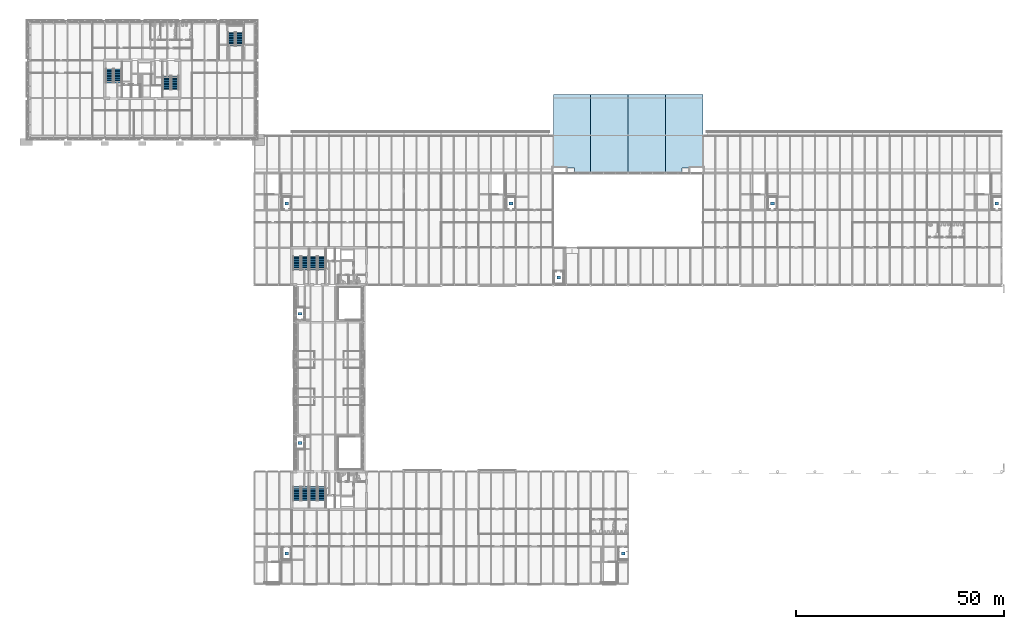
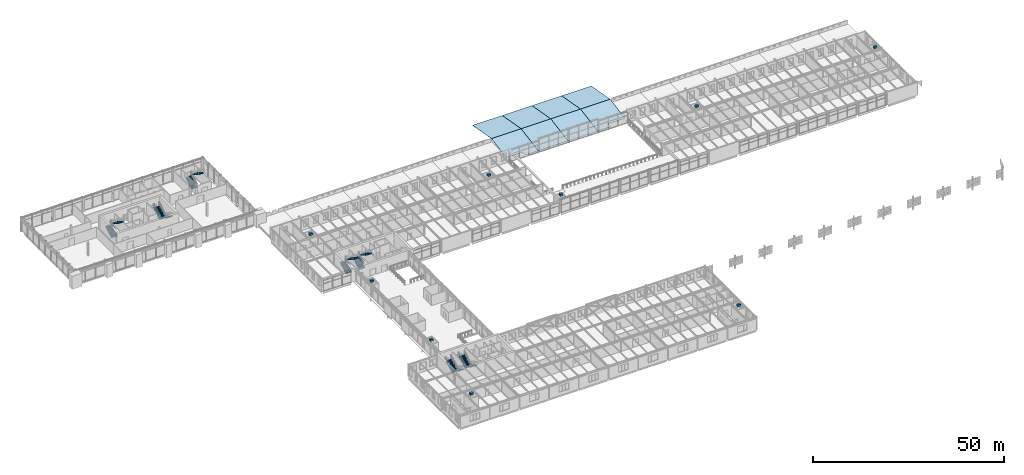
# One storey, part 87 of 123: 14 stair flights, 9 discrete accessories, 8 roofs, 7 elements without a shape of their own.
"""IFC4 building model written with IfcOpenShell, lengths in metres."""

from ifc_helpers import new_model, si_unit, direction, frame, origin, origin_2d, place, context, subcontext, project, spatial, polyline, rectangle, outline, extrude, material, layer, layer_set, type_object, element, aggregate, save


model = new_model("IFC4")

# Units and contexts
model_context = context("Model", 3, precision=1e-05, world=origin(), true_north=direction((0.0, 1.0)))
body_context = subcontext(model_context, "Body", "Model", "MODEL_VIEW")
ifc_project = project(units=[si_unit("LENGTHUNIT", "METRE"), si_unit("AREAUNIT", "SQUARE_METRE"), si_unit("VOLUMEUNIT", "CUBIC_METRE"), si_unit("PLANEANGLEUNIT", "RADIAN"), si_unit("MASSUNIT", "GRAM", prefix="KILO")], contexts=[model_context])

# Site, building, storey
site_placement = place(None, origin())
site = spatial("IfcSite", under=ifc_project, at=site_placement, CompositionType="ELEMENT")
building_placement = place(site_placement, origin())
building = spatial("IfcBuilding", under=site, at=building_placement, Name="Baradari Gate Terminus", CompositionType="ELEMENT")
storey_placement = place(building_placement, frame((0.0, 0.0, 7.5)))
storey = spatial("IfcBuildingStorey", under=building, at=storey_placement, Name="L01", CompositionType="ELEMENT", Elevation=7.5)

# Stair, stair flights
ifc_material_1 = material(Name="Concrete C32/40", Category="concrete")
stair_type_1 = type_object("IfcStairType", Name="Exit stair ST-GN1 riser 175 x 1800", PredefinedType="HALF_TURN_STAIR", material=ifc_material_1)
stair_1_placement = place(storey_placement, origin())
stair_1 = element("IfcStair", 1, at=stair_1_placement, inside=storey, type_object=stair_type_1, Name="Stair ST-GN1 L01 to L02", PredefinedType="HALF_TURN_STAIR")
ifc_material_2 = material(Name="Concrete C32/40", Category="concrete")
stair_flight_type = type_object("IfcStairFlightType", Name="Stair flight 175/300 x 1800", PredefinedType="STRAIGHT", material=ifc_material_2)
stair_flight_1_placement = place(storey_placement, frame((73.199951171875, 84.60009765625, 0.0), z_axis=(0.0, 0.0, 1.0), x_axis=(0.0, 1.0, 0.0)))
stair_flight_1 = element("IfcStairFlight", 2, at=stair_flight_1_placement, type_object=stair_flight_type, Name="ST-GN1 flight 1", NumberOfRisers=12, NumberOfTreads=11, PredefinedType="STRAIGHT", RiserHeight=0.175, TreadLength=0.3, context=body_context, shape_type="SweptSolid", body=[
    extrude(outline(polyline([(0.0, 0.0), (0.0, 0.175048828125), (0.300048828125, 0.175048828125), (0.300048828125, 0.35009765625), (0.60009765625, 0.35009765625), (0.60009765625, 0.52490234375), (0.89990234375, 0.52490234375), (0.89990234375, 0.699951171875), (1.199951171875, 0.699951171875), (1.199951171875, 0.875), (1.5, 0.875), (1.5, 1.050048828125), (1.800048828125, 1.050048828125), (1.800048828125, 1.22509765625), (2.10009765625, 1.22509765625), (2.10009765625, 1.39990234375), (2.39990234375, 1.39990234375), (2.39990234375, 1.574951171875), (2.699951171875, 1.574951171875), (2.699951171875, 1.75), (3.0, 1.75), (3.0, 1.925048828125), (3.300048828125, 1.925048828125), (3.300048828125, 2.10009765625), (3.300048828125, 1.75146484375), (0.297607421875, 0.0), (0.0, 0.0)])), frame((0.0, 0.89990234375, 0.0), z_axis=(0.0, -1.0, 0.0), x_axis=(1.0, 0.0, 0.0)), (0.0, 0.0, 1.0), 1.800048828125),
])
stair_flight_2_placement = place(storey_placement, frame((75.199951171875, 87.89990234375, 2.10009765625), z_axis=(0.0, 0.0, 1.0), x_axis=(0.0, -1.0, 0.0)))
stair_flight_2 = element("IfcStairFlight", 3, at=stair_flight_2_placement, type_object=stair_flight_type, Name="ST-GN1 flight 2", NumberOfRisers=12, NumberOfTreads=11, PredefinedType="STRAIGHT", RiserHeight=0.175, TreadLength=0.3, context=body_context, shape_type="SweptSolid", body=[
    extrude(outline(polyline([(0.0, 0.0), (0.0, 0.175048828125), (0.300048828125, 0.175048828125), (0.300048828125, 0.35009765625), (0.60009765625, 0.35009765625), (0.60009765625, 0.52490234375), (0.89990234375, 0.52490234375), (0.89990234375, 0.699951171875), (1.199951171875, 0.699951171875), (1.199951171875, 0.875), (1.5, 0.875), (1.5, 1.050048828125), (1.800048828125, 1.050048828125), (1.800048828125, 1.22509765625), (2.10009765625, 1.22509765625), (2.10009765625, 1.39990234375), (2.39990234375, 1.39990234375), (2.39990234375, 1.574951171875), (2.699951171875, 1.574951171875), (2.699951171875, 1.75), (3.0, 1.75), (3.0, 1.925048828125), (3.300048828125, 1.925048828125), (3.300048828125, 2.10009765625), (3.300048828125, 1.75146484375), (0.297607421875, 0.0), (0.0, 0.0)])), frame((0.0, 0.89990234375, 0.0), z_axis=(0.0, -1.0, 0.0), x_axis=(1.0, 0.0, 0.0)), (0.0, 0.0, 1.0), 1.800048828125),
])
aggregate(stair_1, [stair_flight_1, stair_flight_2])

ifc_material_3 = material(Name="Concrete C32/40", Category="concrete")
stair_type_2 = type_object("IfcStairType", Name="Exit stair ST-GN2 riser 175 x 1800", PredefinedType="HALF_TURN_STAIR", material=ifc_material_3)
stair_2_placement = place(storey_placement, origin())
stair_2 = element("IfcStair", 4, at=stair_2_placement, inside=storey, type_object=stair_type_2, Name="Stair ST-GN2 L01 to L02", PredefinedType="HALF_TURN_STAIR")
stair_flight_3_placement = place(storey_placement, frame((77.199951171875, 84.60009765625, 0.0), z_axis=(0.0, 0.0, 1.0), x_axis=(0.0, 1.0, 0.0)))
stair_flight_3 = element("IfcStairFlight", 5, at=stair_flight_3_placement, type_object=stair_flight_type, Name="ST-GN2 flight 1", NumberOfRisers=12, NumberOfTreads=11, PredefinedType="STRAIGHT", RiserHeight=0.175, TreadLength=0.3, context=body_context, shape_type="SweptSolid", body=[
    extrude(outline(polyline([(0.0, 0.0), (0.0, 0.175048828125), (0.300048828125, 0.175048828125), (0.300048828125, 0.35009765625), (0.60009765625, 0.35009765625), (0.60009765625, 0.52490234375), (0.89990234375, 0.52490234375), (0.89990234375, 0.699951171875), (1.199951171875, 0.699951171875), (1.199951171875, 0.875), (1.5, 0.875), (1.5, 1.050048828125), (1.800048828125, 1.050048828125), (1.800048828125, 1.22509765625), (2.10009765625, 1.22509765625), (2.10009765625, 1.39990234375), (2.39990234375, 1.39990234375), (2.39990234375, 1.574951171875), (2.699951171875, 1.574951171875), (2.699951171875, 1.75), (3.0, 1.75), (3.0, 1.925048828125), (3.300048828125, 1.925048828125), (3.300048828125, 2.10009765625), (3.300048828125, 1.75146484375), (0.297607421875, 0.0), (0.0, 0.0)])), frame((0.0, 0.89990234375, 0.0), z_axis=(0.0, -1.0, 0.0), x_axis=(1.0, 0.0, 0.0)), (0.0, 0.0, 1.0), 1.800048828125),
])
stair_flight_4_placement = place(storey_placement, frame((79.199951171875, 87.89990234375, 2.10009765625), z_axis=(0.0, 0.0, 1.0), x_axis=(0.0, -1.0, 0.0)))
stair_flight_4 = element("IfcStairFlight", 6, at=stair_flight_4_placement, type_object=stair_flight_type, Name="ST-GN2 flight 2", NumberOfRisers=12, NumberOfTreads=11, PredefinedType="STRAIGHT", RiserHeight=0.175, TreadLength=0.3, context=body_context, shape_type="SweptSolid", body=[
    extrude(outline(polyline([(0.0, 0.0), (0.0, 0.175048828125), (0.300048828125, 0.175048828125), (0.300048828125, 0.35009765625), (0.60009765625, 0.35009765625), (0.60009765625, 0.52490234375), (0.89990234375, 0.52490234375), (0.89990234375, 0.699951171875), (1.199951171875, 0.699951171875), (1.199951171875, 0.875), (1.5, 0.875), (1.5, 1.050048828125), (1.800048828125, 1.050048828125), (1.800048828125, 1.22509765625), (2.10009765625, 1.22509765625), (2.10009765625, 1.39990234375), (2.39990234375, 1.39990234375), (2.39990234375, 1.574951171875), (2.699951171875, 1.574951171875), (2.699951171875, 1.75), (3.0, 1.75), (3.0, 1.925048828125), (3.300048828125, 1.925048828125), (3.300048828125, 2.10009765625), (3.300048828125, 1.75146484375), (0.297607421875, 0.0), (0.0, 0.0)])), frame((0.0, 0.89990234375, 0.0), z_axis=(0.0, -1.0, 0.0), x_axis=(1.0, 0.0, 0.0)), (0.0, 0.0, 1.0), 1.800048828125),
])
aggregate(stair_2, [stair_flight_3, stair_flight_4])

ifc_material_4 = material(Name="Concrete C32/40", Category="concrete")
stair_type_3 = type_object("IfcStairType", Name="Exit stair ST-GS1 riser 175 x 1800", PredefinedType="HALF_TURN_STAIR", material=ifc_material_4)
stair_3_placement = place(storey_placement, origin())
stair_3 = element("IfcStair", 7, at=stair_3_placement, inside=storey, type_object=stair_type_3, Name="Stair ST-GS1 L01 to L02", PredefinedType="HALF_TURN_STAIR")
stair_flight_5_placement = place(storey_placement, frame((75.199951171875, 32.39990234375, 0.0), z_axis=(0.0, 0.0, 1.0), x_axis=(0.0, -1.0, 0.0)))
stair_flight_5 = element("IfcStairFlight", 8, at=stair_flight_5_placement, type_object=stair_flight_type, Name="ST-GS1 flight 1", NumberOfRisers=12, NumberOfTreads=11, PredefinedType="STRAIGHT", RiserHeight=0.175, TreadLength=0.3, context=body_context, shape_type="SweptSolid", body=[
    extrude(outline(polyline([(0.0, 0.0), (0.0, 0.175048828125), (0.300048828125, 0.175048828125), (0.300048828125, 0.35009765625), (0.60009765625, 0.35009765625), (0.60009765625, 0.52490234375), (0.89990234375, 0.52490234375), (0.89990234375, 0.699951171875), (1.199951171875, 0.699951171875), (1.199951171875, 0.875), (1.5, 0.875), (1.5, 1.050048828125), (1.800048828125, 1.050048828125), (1.800048828125, 1.22509765625), (2.10009765625, 1.22509765625), (2.10009765625, 1.39990234375), (2.39990234375, 1.39990234375), (2.39990234375, 1.574951171875), (2.699951171875, 1.574951171875), (2.699951171875, 1.75), (3.0, 1.75), (3.0, 1.925048828125), (3.300048828125, 1.925048828125), (3.300048828125, 2.10009765625), (3.300048828125, 1.75146484375), (0.297607421875, 0.0), (0.0, 0.0)])), frame((0.0, 0.89990234375, 0.0), z_axis=(0.0, -1.0, 0.0), x_axis=(1.0, 0.0, 0.0)), (0.0, 0.0, 1.0), 1.800048828125),
])
stair_flight_6_placement = place(storey_placement, frame((73.199951171875, 29.10009765625, 2.10009765625), z_axis=(0.0, 0.0, 1.0), x_axis=(0.0, 1.0, 0.0)))
stair_flight_6 = element("IfcStairFlight", 9, at=stair_flight_6_placement, type_object=stair_flight_type, Name="ST-GS1 flight 2", NumberOfRisers=12, NumberOfTreads=11, PredefinedType="STRAIGHT", RiserHeight=0.175, TreadLength=0.3, context=body_context, shape_type="SweptSolid", body=[
    extrude(outline(polyline([(0.0, 0.0), (0.0, 0.175048828125), (0.300048828125, 0.175048828125), (0.300048828125, 0.35009765625), (0.60009765625, 0.35009765625), (0.60009765625, 0.52490234375), (0.89990234375, 0.52490234375), (0.89990234375, 0.699951171875), (1.199951171875, 0.699951171875), (1.199951171875, 0.875), (1.5, 0.875), (1.5, 1.050048828125), (1.800048828125, 1.050048828125), (1.800048828125, 1.22509765625), (2.10009765625, 1.22509765625), (2.10009765625, 1.39990234375), (2.39990234375, 1.39990234375), (2.39990234375, 1.574951171875), (2.699951171875, 1.574951171875), (2.699951171875, 1.75), (3.0, 1.75), (3.0, 1.925048828125), (3.300048828125, 1.925048828125), (3.300048828125, 2.10009765625), (3.300048828125, 1.75146484375), (0.297607421875, 0.0), (0.0, 0.0)])), frame((0.0, 0.89990234375, 0.0), z_axis=(0.0, -1.0, 0.0), x_axis=(1.0, 0.0, 0.0)), (0.0, 0.0, 1.0), 1.800048828125),
])
aggregate(stair_3, [stair_flight_5, stair_flight_6])

ifc_material_5 = material(Name="Concrete C32/40", Category="concrete")
stair_type_4 = type_object("IfcStairType", Name="Exit stair ST-GS2 riser 175 x 1800", PredefinedType="HALF_TURN_STAIR", material=ifc_material_5)
stair_4_placement = place(storey_placement, origin())
stair_4 = element("IfcStair", 10, at=stair_4_placement, inside=storey, type_object=stair_type_4, Name="Stair ST-GS2 L01 to L02", PredefinedType="HALF_TURN_STAIR")
stair_flight_7_placement = place(storey_placement, frame((79.199951171875, 32.39990234375, 0.0), z_axis=(0.0, 0.0, 1.0), x_axis=(0.0, -1.0, 0.0)))
stair_flight_7 = element("IfcStairFlight", 11, at=stair_flight_7_placement, type_object=stair_flight_type, Name="ST-GS2 flight 1", NumberOfRisers=12, NumberOfTreads=11, PredefinedType="STRAIGHT", RiserHeight=0.175, TreadLength=0.3, context=body_context, shape_type="SweptSolid", body=[
    extrude(outline(polyline([(0.0, 0.0), (0.0, 0.175048828125), (0.300048828125, 0.175048828125), (0.300048828125, 0.35009765625), (0.60009765625, 0.35009765625), (0.60009765625, 0.52490234375), (0.89990234375, 0.52490234375), (0.89990234375, 0.699951171875), (1.199951171875, 0.699951171875), (1.199951171875, 0.875), (1.5, 0.875), (1.5, 1.050048828125), (1.800048828125, 1.050048828125), (1.800048828125, 1.22509765625), (2.10009765625, 1.22509765625), (2.10009765625, 1.39990234375), (2.39990234375, 1.39990234375), (2.39990234375, 1.574951171875), (2.699951171875, 1.574951171875), (2.699951171875, 1.75), (3.0, 1.75), (3.0, 1.925048828125), (3.300048828125, 1.925048828125), (3.300048828125, 2.10009765625), (3.300048828125, 1.75146484375), (0.297607421875, 0.0), (0.0, 0.0)])), frame((0.0, 0.89990234375, 0.0), z_axis=(0.0, -1.0, 0.0), x_axis=(1.0, 0.0, 0.0)), (0.0, 0.0, 1.0), 1.800048828125),
])
stair_flight_8_placement = place(storey_placement, frame((77.199951171875, 29.10009765625, 2.10009765625), z_axis=(0.0, 0.0, 1.0), x_axis=(0.0, 1.0, 0.0)))
stair_flight_8 = element("IfcStairFlight", 12, at=stair_flight_8_placement, type_object=stair_flight_type, Name="ST-GS2 flight 2", NumberOfRisers=12, NumberOfTreads=11, PredefinedType="STRAIGHT", RiserHeight=0.175, TreadLength=0.3, context=body_context, shape_type="SweptSolid", body=[
    extrude(outline(polyline([(0.0, 0.0), (0.0, 0.175048828125), (0.300048828125, 0.175048828125), (0.300048828125, 0.35009765625), (0.60009765625, 0.35009765625), (0.60009765625, 0.52490234375), (0.89990234375, 0.52490234375), (0.89990234375, 0.699951171875), (1.199951171875, 0.699951171875), (1.199951171875, 0.875), (1.5, 0.875), (1.5, 1.050048828125), (1.800048828125, 1.050048828125), (1.800048828125, 1.22509765625), (2.10009765625, 1.22509765625), (2.10009765625, 1.39990234375), (2.39990234375, 1.39990234375), (2.39990234375, 1.574951171875), (2.699951171875, 1.574951171875), (2.699951171875, 1.75), (3.0, 1.75), (3.0, 1.925048828125), (3.300048828125, 1.925048828125), (3.300048828125, 2.10009765625), (3.300048828125, 1.75146484375), (0.297607421875, 0.0), (0.0, 0.0)])), frame((0.0, 0.89990234375, 0.0), z_axis=(0.0, -1.0, 0.0), x_axis=(1.0, 0.0, 0.0)), (0.0, 0.0, 1.0), 1.800048828125),
])
aggregate(stair_4, [stair_flight_7, stair_flight_8])

ifc_material_6 = material(Name="Concrete C32/40", Category="concrete")
stair_type_5 = type_object("IfcStairType", Name="Exit stair ST-T1 riser 175 x 1800", PredefinedType="HALF_TURN_STAIR", material=ifc_material_6)
stair_5_placement = place(storey_placement, origin())
stair_5 = element("IfcStair", 13, at=stair_5_placement, inside=storey, type_object=stair_type_5, Name="Stair ST-T1 L01 to L02", PredefinedType="HALF_TURN_STAIR")
stair_flight_9_placement = place(storey_placement, frame((28.125, 129.675048828125, 0.0), z_axis=(0.0, 0.0, 1.0), x_axis=(0.0, 1.0, 0.0)))
stair_flight_9 = element("IfcStairFlight", 14, at=stair_flight_9_placement, type_object=stair_flight_type, Name="ST-T1 flight 1", NumberOfRisers=12, NumberOfTreads=11, PredefinedType="STRAIGHT", RiserHeight=0.175, TreadLength=0.3, context=body_context, shape_type="SweptSolid", body=[
    extrude(outline(polyline([(0.0, 0.0), (0.0, 0.175048828125), (0.300048828125, 0.175048828125), (0.300048828125, 0.35009765625), (0.60009765625, 0.35009765625), (0.60009765625, 0.52490234375), (0.89990234375, 0.52490234375), (0.89990234375, 0.699951171875), (1.199951171875, 0.699951171875), (1.199951171875, 0.875), (1.5, 0.875), (1.5, 1.050048828125), (1.800048828125, 1.050048828125), (1.800048828125, 1.22509765625), (2.10009765625, 1.22509765625), (2.10009765625, 1.39990234375), (2.39990234375, 1.39990234375), (2.39990234375, 1.574951171875), (2.699951171875, 1.574951171875), (2.699951171875, 1.75), (3.0, 1.75), (3.0, 1.925048828125), (3.300048828125, 1.925048828125), (3.300048828125, 2.10009765625), (3.300048828125, 1.75146484375), (0.297607421875, 0.0), (0.0, 0.0)])), frame((0.0, 0.89990234375, 0.0), z_axis=(0.0, -1.0, 0.0), x_axis=(1.0, 0.0, 0.0)), (0.0, 0.0, 1.0), 1.800048828125),
])
stair_flight_10_placement = place(storey_placement, frame((30.125, 132.97509765625, 2.10009765625), z_axis=(0.0, 0.0, 1.0), x_axis=(0.0, -1.0, 0.0)))
stair_flight_10 = element("IfcStairFlight", 15, at=stair_flight_10_placement, type_object=stair_flight_type, Name="ST-T1 flight 2", NumberOfRisers=12, NumberOfTreads=11, PredefinedType="STRAIGHT", RiserHeight=0.175, TreadLength=0.3, context=body_context, shape_type="SweptSolid", body=[
    extrude(outline(polyline([(0.0, 0.0), (0.0, 0.175048828125), (0.300048828125, 0.175048828125), (0.300048828125, 0.35009765625), (0.60009765625, 0.35009765625), (0.60009765625, 0.52490234375), (0.89990234375, 0.52490234375), (0.89990234375, 0.699951171875), (1.199951171875, 0.699951171875), (1.199951171875, 0.875), (1.5, 0.875), (1.5, 1.050048828125), (1.800048828125, 1.050048828125), (1.800048828125, 1.22509765625), (2.10009765625, 1.22509765625), (2.10009765625, 1.39990234375), (2.39990234375, 1.39990234375), (2.39990234375, 1.574951171875), (2.699951171875, 1.574951171875), (2.699951171875, 1.75), (3.0, 1.75), (3.0, 1.925048828125), (3.300048828125, 1.925048828125), (3.300048828125, 2.10009765625), (3.300048828125, 1.75146484375), (0.297607421875, 0.0), (0.0, 0.0)])), frame((0.0, 0.89990234375, 0.0), z_axis=(0.0, -1.0, 0.0), x_axis=(1.0, 0.0, 0.0)), (0.0, 0.0, 1.0), 1.800048828125),
])
aggregate(stair_5, [stair_flight_9, stair_flight_10])

ifc_material_7 = material(Name="Concrete C32/40", Category="concrete")
stair_type_6 = type_object("IfcStairType", Name="Exit stair ST-T2 riser 175 x 1800", PredefinedType="HALF_TURN_STAIR", material=ifc_material_7)
stair_6_placement = place(storey_placement, origin())
stair_6 = element("IfcStair", 16, at=stair_6_placement, inside=storey, type_object=stair_type_6, Name="Stair ST-T2 L01 to L02", PredefinedType="HALF_TURN_STAIR")
stair_flight_11_placement = place(storey_placement, frame((43.875, 131.324951171875, 0.0), z_axis=(0.0, 0.0, 1.0), x_axis=(0.0, -1.0, 0.0)))
stair_flight_11 = element("IfcStairFlight", 17, at=stair_flight_11_placement, type_object=stair_flight_type, Name="ST-T2 flight 1", NumberOfRisers=12, NumberOfTreads=11, PredefinedType="STRAIGHT", RiserHeight=0.175, TreadLength=0.3, context=body_context, shape_type="SweptSolid", body=[
    extrude(outline(polyline([(0.0, 0.0), (0.0, 0.175048828125), (0.300048828125, 0.175048828125), (0.300048828125, 0.35009765625), (0.60009765625, 0.35009765625), (0.60009765625, 0.52490234375), (0.89990234375, 0.52490234375), (0.89990234375, 0.699951171875), (1.199951171875, 0.699951171875), (1.199951171875, 0.875), (1.5, 0.875), (1.5, 1.050048828125), (1.800048828125, 1.050048828125), (1.800048828125, 1.22509765625), (2.10009765625, 1.22509765625), (2.10009765625, 1.39990234375), (2.39990234375, 1.39990234375), (2.39990234375, 1.574951171875), (2.699951171875, 1.574951171875), (2.699951171875, 1.75), (3.0, 1.75), (3.0, 1.925048828125), (3.300048828125, 1.925048828125), (3.300048828125, 2.10009765625), (3.300048828125, 1.75146484375), (0.297607421875, 0.0), (0.0, 0.0)])), frame((0.0, 0.89990234375, 0.0), z_axis=(0.0, -1.0, 0.0), x_axis=(1.0, 0.0, 0.0)), (0.0, 0.0, 1.0), 1.800048828125),
])
stair_flight_12_placement = place(storey_placement, frame((41.875, 128.02490234375, 2.10009765625), z_axis=(0.0, 0.0, 1.0), x_axis=(0.0, 1.0, 0.0)))
stair_flight_12 = element("IfcStairFlight", 18, at=stair_flight_12_placement, type_object=stair_flight_type, Name="ST-T2 flight 2", NumberOfRisers=12, NumberOfTreads=11, PredefinedType="STRAIGHT", RiserHeight=0.175, TreadLength=0.3, context=body_context, shape_type="SweptSolid", body=[
    extrude(outline(polyline([(0.0, 0.0), (0.0, 0.175048828125), (0.300048828125, 0.175048828125), (0.300048828125, 0.35009765625), (0.60009765625, 0.35009765625), (0.60009765625, 0.52490234375), (0.89990234375, 0.52490234375), (0.89990234375, 0.699951171875), (1.199951171875, 0.699951171875), (1.199951171875, 0.875), (1.5, 0.875), (1.5, 1.050048828125), (1.800048828125, 1.050048828125), (1.800048828125, 1.22509765625), (2.10009765625, 1.22509765625), (2.10009765625, 1.39990234375), (2.39990234375, 1.39990234375), (2.39990234375, 1.574951171875), (2.699951171875, 1.574951171875), (2.699951171875, 1.75), (3.0, 1.75), (3.0, 1.925048828125), (3.300048828125, 1.925048828125), (3.300048828125, 2.10009765625), (3.300048828125, 1.75146484375), (0.297607421875, 0.0), (0.0, 0.0)])), frame((0.0, 0.89990234375, 0.0), z_axis=(0.0, -1.0, 0.0), x_axis=(1.0, 0.0, 0.0)), (0.0, 0.0, 1.0), 1.800048828125),
])
aggregate(stair_6, [stair_flight_11, stair_flight_12])

ifc_material_8 = material(Name="Concrete C32/40", Category="concrete")
stair_type_7 = type_object("IfcStairType", Name="Exit stair ST-T3 riser 175 x 1800", PredefinedType="HALF_TURN_STAIR", material=ifc_material_8)
stair_7_placement = place(storey_placement, origin())
stair_7 = element("IfcStair", 19, at=stair_7_placement, inside=storey, type_object=stair_type_7, Name="Stair ST-T3 L01 to L02", PredefinedType="HALF_TURN_STAIR")
stair_flight_13_placement = place(storey_placement, frame((57.5, 138.5, 0.0), z_axis=(0.0, 0.0, 1.0), x_axis=(0.0, 1.0, 0.0)))
stair_flight_13 = element("IfcStairFlight", 20, at=stair_flight_13_placement, type_object=stair_flight_type, Name="ST-T3 flight 1", NumberOfRisers=12, NumberOfTreads=11, PredefinedType="STRAIGHT", RiserHeight=0.175, TreadLength=0.3, context=body_context, shape_type="SweptSolid", body=[
    extrude(outline(polyline([(0.0, 0.0), (0.0, 0.175048828125), (0.300048828125, 0.175048828125), (0.300048828125, 0.35009765625), (0.60009765625, 0.35009765625), (0.60009765625, 0.52490234375), (0.89990234375, 0.52490234375), (0.89990234375, 0.699951171875), (1.199951171875, 0.699951171875), (1.199951171875, 0.875), (1.5, 0.875), (1.5, 1.050048828125), (1.800048828125, 1.050048828125), (1.800048828125, 1.22509765625), (2.10009765625, 1.22509765625), (2.10009765625, 1.39990234375), (2.39990234375, 1.39990234375), (2.39990234375, 1.574951171875), (2.699951171875, 1.574951171875), (2.699951171875, 1.75), (3.0, 1.75), (3.0, 1.925048828125), (3.300048828125, 1.925048828125), (3.300048828125, 2.10009765625), (3.300048828125, 1.75146484375), (0.297607421875, 0.0), (0.0, 0.0)])), frame((0.0, 0.89990234375, 0.0), z_axis=(0.0, -1.0, 0.0), x_axis=(1.0, 0.0, 0.0)), (0.0, 0.0, 1.0), 1.800048828125),
])
stair_flight_14_placement = place(storey_placement, frame((59.5, 141.800048828125, 2.10009765625), z_axis=(0.0, 0.0, 1.0), x_axis=(0.0, -1.0, 0.0)))
stair_flight_14 = element("IfcStairFlight", 21, at=stair_flight_14_placement, type_object=stair_flight_type, Name="ST-T3 flight 2", NumberOfRisers=12, NumberOfTreads=11, PredefinedType="STRAIGHT", RiserHeight=0.175, TreadLength=0.3, context=body_context, shape_type="SweptSolid", body=[
    extrude(outline(polyline([(0.0, 0.0), (0.0, 0.175048828125), (0.300048828125, 0.175048828125), (0.300048828125, 0.35009765625), (0.60009765625, 0.35009765625), (0.60009765625, 0.52490234375), (0.89990234375, 0.52490234375), (0.89990234375, 0.699951171875), (1.199951171875, 0.699951171875), (1.199951171875, 0.875), (1.5, 0.875), (1.5, 1.050048828125), (1.800048828125, 1.050048828125), (1.800048828125, 1.22509765625), (2.10009765625, 1.22509765625), (2.10009765625, 1.39990234375), (2.39990234375, 1.39990234375), (2.39990234375, 1.574951171875), (2.699951171875, 1.574951171875), (2.699951171875, 1.75), (3.0, 1.75), (3.0, 1.925048828125), (3.300048828125, 1.925048828125), (3.300048828125, 2.10009765625), (3.300048828125, 1.75146484375), (0.297607421875, 0.0), (0.0, 0.0)])), frame((0.0, 0.89990234375, 0.0), z_axis=(0.0, -1.0, 0.0), x_axis=(1.0, 0.0, 0.0)), (0.0, 0.0, 1.0), 1.800048828125),
])
aggregate(stair_7, [stair_flight_13, stair_flight_14])

# Roofs
ifc_material_9 = material(Name="Steel S355", Category="steel")
ifc_layer_1 = layer(ifc_material_9, 0.0400390625)
ifc_layer_set_1 = layer_set([ifc_layer_1], Name="Steel S355")
roof_type_1 = type_object("IfcRoofType", Name="Canopy folded plate, north slope", PredefinedType="GABLE_ROOF", material=ifc_layer_set_1)
for number, where, z_axis, x_axis, name in (
    (22, (135.0, 117.0, 1.89990234375), (0.0, 0.175035949865, 0.984562042867), (1.0, 0.0, 0.0), "RF/L01/CP2-1"),
    (23, (144.0, 117.0, 1.89990234375), (0.0, 0.175035949865, 0.984562042867), (1.0, 0.0, 0.0), "RF/L01/CP2-2"),
    (24, (153.0, 117.0, 1.89990234375), (0.0, 0.175035949865, 0.984562042867), (1.0, 0.0, 0.0), "RF/L01/CP2-3"),
    (25, (162.0, 117.0, 1.89990234375), (0.0, 0.175035949865, 0.984562042867), (1.0, 0.0, 0.0), "RF/L01/CP2-4"),
):
    element("IfcRoof", number, at=place(storey_placement, frame(where, z_axis=z_axis, x_axis=x_axis)), inside=storey, type_object=roof_type_1, Name=name, PredefinedType="GABLE_ROOF", context=body_context, shape_type="SweptSolid", body=[
        extrude(outline(polyline([(0.0, 0.0), (9.0, 0.0), (9.0, 10.055133056846245), (0.0, 10.055133056846245), (0.0, 0.0)])), origin(), (0.0, 0.0, -1.0), 0.0400390625),
    ])
ifc_material_10 = material(Name="Steel S355", Category="steel")
ifc_layer_2 = layer(ifc_material_10, 0.0400390625)
ifc_layer_set_2 = layer_set([ifc_layer_2], Name="Steel S355")
roof_type_2 = type_object("IfcRoofType", Name="Canopy folded plate, south slope", PredefinedType="GABLE_ROOF", material=ifc_layer_set_2)
roof_1_placement = place(storey_placement, frame((140.050048828125, 107.9599609375, 0.29296875), z_axis=(2.463876e-06, -0.175011191648, 0.984566444072), x_axis=(0.999999999997, 4.31206e-07, -2.425849e-06)))
element("IfcRoof", 26, at=roof_1_placement, inside=storey, type_object=roof_type_2, Name="RF/L01/CP1-1", PredefinedType="GABLE_ROOF", context=body_context, shape_type="SweptSolid", body=[
    extrude(outline(polyline([(0.0, 0.0), (3.9499511718630105, 2.0910867391399117e-22), (3.949951171801696, 9.181750477203618), (-5.050048828170985, 9.181750477203618), (-5.0500488282189435, 1.2594355653109541), (-1.0927228794681079e-10, 1.2594355653109541), (0.0, 0.0)])), origin(), (0.0, 0.0, -1.0), 0.0400390625),
])
for number, where, z_axis, x_axis, name in (
    (27, (144.0, 107.9599609375, 0.29296875), (0.0, -0.175013860128, 0.984565969737), (1.0, 0.0, 0.0), "RF/L01/CP1-2"),
    (28, (153.0, 107.9599609375, 0.29296875), (0.0, -0.175013860128, 0.984565969737), (1.0, 0.0, 0.0), "RF/L01/CP1-3"),
):
    element("IfcRoof", number, at=place(storey_placement, frame(where, z_axis=z_axis, x_axis=x_axis)), inside=storey, type_object=roof_type_2, Name=name, PredefinedType="GABLE_ROOF", context=body_context, shape_type="SweptSolid", body=[
        extrude(outline(polyline([(0.0, 0.0), (9.0, 0.0), (9.0, 9.181750477237342), (0.0, 9.181750477237342), (0.0, 0.0)])), origin(), (0.0, 0.0, -1.0), 0.0400390625),
    ])
roof_2_placement = place(storey_placement, frame((162.0, 107.9599609375, 0.29296875), z_axis=(-2.463876e-06, -0.175011191648, 0.984566444072), x_axis=(0.999999999997, -4.31206e-07, 2.425849e-06)))
element("IfcRoof", 29, at=roof_2_placement, inside=storey, type_object=roof_type_2, Name="RF/L01/CP1-4", PredefinedType="GABLE_ROOF", context=body_context, shape_type="SweptSolid", body=[
    extrude(outline(polyline([(0.0, 0.0), (3.9499511718630105, -2.0910867391399117e-22), (3.949951171972283, 1.2594355653109541), (9.000000000081952, 1.2594355653109541), (9.000000000033996, 9.181750477203618), (6.131448774387565e-11, 9.181750477203618), (0.0, 0.0)])), origin(), (0.0, 0.0, -1.0), 0.0400390625),
])

# Discrete accessories
ifc_material_11 = material(Name="Steel S355", Category="steel")
discrete_accessory_type = type_object("IfcDiscreteAccessoryType", Name="Lift machine LM-1 900x700x600", PredefinedType="SHOE", material=ifc_material_11)
for number, where, z_axis, x_axis, name in (
    (30, (70.800048828125, 100.64990234375, 3.449951171875), (0.0, 0.0, 1.0), (1.0, 0.0, 0.0), "Lift machine LH1"),
    (31, (124.800048828125, 100.64990234375, 3.449951171875), (0.0, 0.0, 1.0), (1.0, 0.0, 0.0), "Lift machine LH2"),
    (32, (187.800048828125, 100.64990234375, 3.449951171875), (0.0, 0.0, 1.0), (1.0, 0.0, 0.0), "Lift machine LH3"),
    (33, (241.800048828125, 100.64990234375, 3.449951171875), (0.0, 0.0, 1.0), (1.0, 0.0, 0.0), "Lift machine LH4"),
    (34, (136.300048828125, 82.75, 4.02392578125), (0.0, 0.0, 1.0), (1.0, 0.0, 0.0), "Lift machine LHL"),
    (35, (74.0, 42.949951171875, 3.449951171875), (0.0, 0.0, 1.0), (1.0, 0.0, 0.0), "Lift machine LP1"),
    (36, (74.0, 74.050048828125, 3.449951171875), (0.0, 0.0, 1.0), (1.0, 0.0, 0.0), "Lift machine LP2"),
    (37, (70.800048828125, 16.35009765625, 3.449951171875), (0.0, 0.0, 1.0), (1.0, 0.0, 0.0), "Lift machine LSW1"),
    (38, (151.800048828125, 16.35009765625, 3.449951171875), (0.0, 0.0, 1.0), (1.0, 0.0, 0.0), "Lift machine LSW2"),
):
    element("IfcDiscreteAccessory", number, at=place(storey_placement, frame(where, z_axis=z_axis, x_axis=x_axis)), inside=storey, type_object=discrete_accessory_type, Name=name, PredefinedType="SHOE", context=body_context, shape_type="SweptSolid", body=[
        extrude(rectangle(XDim=0.89990234375, YDim=0.699951171875, at=origin_2d()), origin(), (0.0, 0.0, 1.0), 0.60009765625),
    ])

save(model, "model.ifc")
